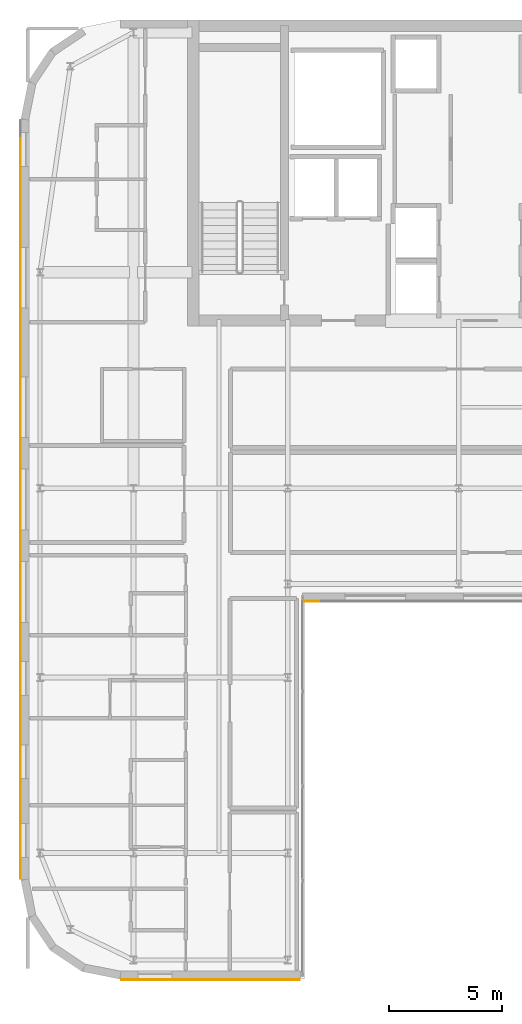
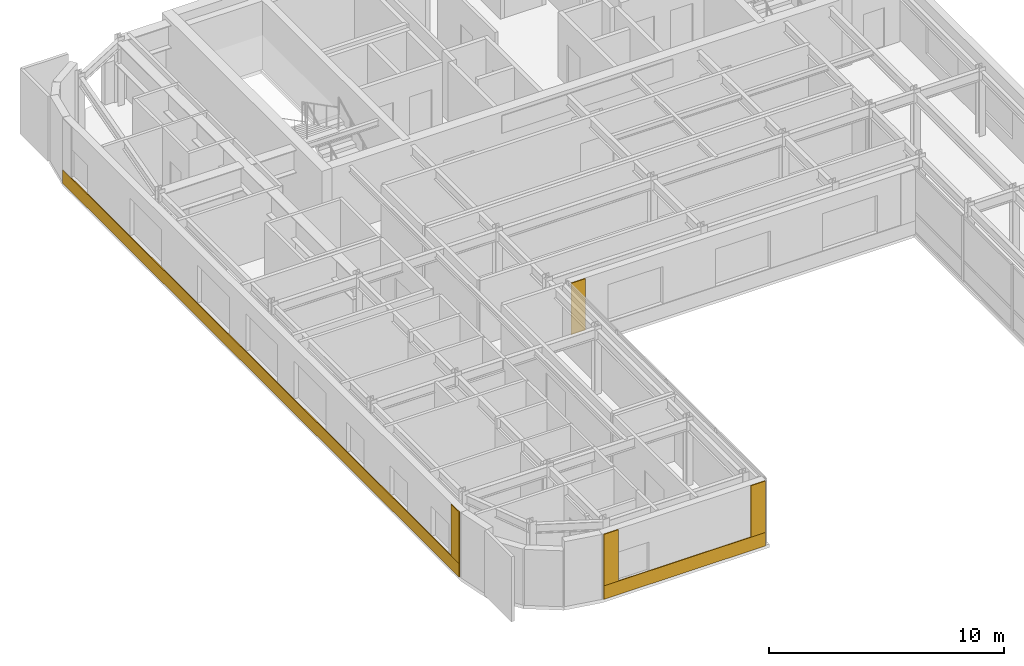
# One storey, part 18 of 21: 6 coverings.
"""IFC4 building model written with IfcOpenShell, lengths in metres."""

import ifcopenshell
import ifcopenshell.guid

model = None  # the IFC model being written
_history = None  # IfcOwnerHistory: only IFC2X3 demands one
_inside = {}  # id of a spatial element -> (the spatial element, [elements in it])
_under = {}  # id of a project, library or spatial element -> (it, [spatial elements below it])
_declared = {}  # id of a project -> (the project, [libraries it declares])
_typed = {}  # id of a type object -> (the type object, [elements of that type])
_made_of = {}  # id of a material, layer set ... -> (it, [elements and type objects made of it])


def new_model(schema):
    """Start an empty IFC model of exactly this schema.

    Asked for "IFC4X3", IfcOpenShell would pick the latest addendum, in which some entities
    have other attributes; the version numbers below select the first issue.
    IFC2X3 requires an IfcOwnerHistory on every rooted entity: one is made here for all.
    """
    global model, _history
    if schema == "IFC4X3":
        model = ifcopenshell.file(schema_version=(4, 3, 0, 0))
    else:
        model = ifcopenshell.file(schema=schema)
    _inside.clear()
    _under.clear()
    _declared.clear()
    _typed.clear()
    _made_of.clear()
    _history = None
    if model.schema == "IFC2X3":
        org = make("IfcOrganization", Name="unknown")
        user = make(
            "IfcPersonAndOrganization",
            ThePerson=make("IfcPerson", FamilyName="unknown"),
            TheOrganization=org,
        )
        app = make(
            "IfcApplication",
            ApplicationDeveloper=org,
            Version="unknown",
            ApplicationFullName="unknown",
            ApplicationIdentifier="unknown",
        )
        _history = make(
            "IfcOwnerHistory",
            OwningUser=user,
            OwningApplication=app,
            ChangeAction="ADDED",
            CreationDate=0,
        )
    return model


def make(cls, **values):
    """One entity of the class cls with the attributes given. An attribute that is None is left unset."""
    return model.create_entity(
        cls, **{name: value for name, value in values.items() if value is not None}
    )


def rooted(cls, **values):
    """An entity with a GlobalId (a new one), such as an element, a storey or a relation."""
    return make(cls, GlobalId=ifcopenshell.guid.new(), OwnerHistory=_history, **values)


def si_unit(unit_type, name, prefix=None):
    """IfcSIUnit, for example si_unit("LENGTHUNIT", "METRE", prefix="MILLI")."""
    return make("IfcSIUnit", UnitType=unit_type, Prefix=prefix, Name=name)


def assignment(units):
    """IfcUnitAssignment: the units of a project."""
    return None if units is None else make("IfcUnitAssignment", Units=units)


def point(xyz):
    """IfcCartesianPoint."""
    return None if xyz is None else make("IfcCartesianPoint", Coordinates=xyz)


def direction(xyz):
    """IfcDirection."""
    return None if xyz is None else make("IfcDirection", DirectionRatios=xyz)


def frame(location, z_axis=None, x_axis=None):
    """IfcAxis2Placement3D, a coordinate frame: its origin and axes. An axis left out is left unset."""
    return make(
        "IfcAxis2Placement3D",
        Location=point(location),
        Axis=direction(z_axis),
        RefDirection=direction(x_axis),
    )


def origin():
    """The frame at (0, 0, 0) with its axes left unset."""
    return frame((0.0, 0.0, 0.0))


def place(relative_to, where):
    """IfcLocalPlacement: puts the frame where relative to a parent placement (None: the world)."""
    return make(
        "IfcLocalPlacement", PlacementRelTo=relative_to, RelativePlacement=where
    )


def context(
    kind, dimensions, precision=None, world=None, true_north=None, identifier=None
):
    """IfcGeometricRepresentationContext, for example the 3D "Model" context."""
    return make(
        "IfcGeometricRepresentationContext",
        ContextIdentifier=identifier,
        ContextType=kind,
        CoordinateSpaceDimension=dimensions,
        Precision=precision,
        WorldCoordinateSystem=world,
        TrueNorth=true_north,
    )


def subcontext(parent, identifier, kind, view, scale=None):
    """IfcGeometricRepresentationSubContext, for example "Body" below "Model"."""
    return make(
        "IfcGeometricRepresentationSubContext",
        ContextIdentifier=identifier,
        ContextType=kind,
        ParentContext=parent,
        TargetScale=scale,
        TargetView=view,
    )


def project(units=None, contexts=None):
    """IfcProject with its units and contexts."""
    return rooted(
        "IfcProject",
        Name="project",
        RepresentationContexts=contexts,
        UnitsInContext=assignment(units),
    )


def spatial(cls, under=None, at=None, **own):
    """A site, building, storey or space (cls), placed at a placement, below another one or the project."""
    s = rooted(cls, ObjectPlacement=at, **own)
    if under is not None:
        _under.setdefault(under.id(), (under, []))[1].append(s)
    return s


def polyline(points):
    """IfcPolyline through the points."""
    return make("IfcPolyline", Points=[point(p) for p in points])


def outline(outer, holes=None, kind="AREA"):
    """IfcArbitraryClosedProfileDef: a profile drawn as a closed curve; with holes, ...WithVoids."""
    if holes is None:
        return make("IfcArbitraryClosedProfileDef", ProfileType=kind, OuterCurve=outer)
    return make(
        "IfcArbitraryProfileDefWithVoids",
        ProfileType=kind,
        OuterCurve=outer,
        InnerCurves=holes,
    )


def extrude(swept, where, along, depth):
    """IfcExtrudedAreaSolid: the profile swept, set in the frame where, extruded along a direction by depth."""
    return make(
        "IfcExtrudedAreaSolid",
        SweptArea=swept,
        Position=where,
        ExtrudedDirection=direction(along),
        Depth=depth,
    )


def shape(context_of_items, identifier, shape_type, items):
    """IfcShapeRepresentation: the items that make up one representation, for example the "Body"."""
    return make(
        "IfcShapeRepresentation",
        ContextOfItems=context_of_items,
        RepresentationIdentifier=identifier,
        RepresentationType=shape_type,
        Items=items,
    )


def material(Name=None, Category=None):
    """IfcMaterial."""
    return make("IfcMaterial", Name=Name, Category=Category)


def layer(
    of_material, thickness, ventilated=None, Name=None, Category=None, Priority=None
):
    """IfcMaterialLayer: one layer of a wall or slab, of a material (None: an air gap)."""
    return make(
        "IfcMaterialLayer",
        Material=of_material,
        LayerThickness=thickness,
        IsVentilated=ventilated,
        Name=Name,
        Category=Category,
        Priority=Priority,
    )


def layer_set(layers, Name=None):
    """IfcMaterialLayerSet."""
    return make("IfcMaterialLayerSet", MaterialLayers=layers, LayerSetName=Name)


def made_of(thing, what):
    """Note that an element or type object is made of a material, layer set ...; save() writes the relation."""
    if what is not None:
        _made_of.setdefault(what.id(), (what, []))[1].append(thing)
    return thing


def type_object(cls, material=None, **own):
    """A type object (cls), such as IfcWallType, which elements share."""
    return made_of(rooted(cls, **own), material)


def element(
    cls,
    number,
    at=None,
    inside=None,
    cuts=None,
    type_object=None,
    material=None,
    context=None,
    identifier="Body",
    shape_type=None,
    held_by="IfcProductDefinitionShape",
    body=None,
    shapes=None,
    **own,
):
    """One element of the class cls, such as IfcWall. Its Tag is "e" and its number.

    at: its placement. inside: the storey or other place that contains it. cuts: it is an
    opening in that element (IfcRelVoidsElement). A single representation is given by context,
    identifier, shape_type and body (its items); several are given by shapes. held_by: the class
    of the entity that holds the representations. save() writes the other relations.
    """
    e = rooted(cls, Tag="e%d" % number, ObjectPlacement=at, **own)
    if body is not None:
        shapes = [shape(context, identifier, shape_type, body)]
    if shapes is not None:
        e.Representation = make(held_by, Representations=shapes)
    if inside is not None:
        _inside.setdefault(inside.id(), (inside, []))[1].append(e)
    if cuts is not None:
        rooted(
            "IfcRelVoidsElement", RelatingBuildingElement=cuts, RelatedOpeningElement=e
        )
    if type_object is not None:
        _typed.setdefault(type_object.id(), (type_object, []))[1].append(e)
    return made_of(e, material)


def aggregate(whole, parts):
    """IfcRelAggregates: a whole, such as a stair, and the parts it consists of."""
    return rooted("IfcRelAggregates", RelatingObject=whole, RelatedObjects=parts)


def save(model, path):
    """Write the relations noted so far, then the file.

    IfcRelAggregates (storeys below a building ...), IfcRelContainedInSpatialStructure (elements
    in a storey), IfcRelDefinesByType, IfcRelAssociatesMaterial and IfcRelDeclares: one each for
    every whole, place, type object, material and project.
    """
    for whole, parts in _under.values():
        aggregate(whole, parts)
    for where, things in _inside.values():
        rooted(
            "IfcRelContainedInSpatialStructure",
            RelatedElements=things,
            RelatingStructure=where,
        )
    for kind, things in _typed.values():
        rooted("IfcRelDefinesByType", RelatedObjects=things, RelatingType=kind)
    for what, things in _made_of.values():
        rooted("IfcRelAssociatesMaterial", RelatedObjects=things, RelatingMaterial=what)
    for by, libraries in _declared.values():
        rooted("IfcRelDeclares", RelatingContext=by, RelatedDefinitions=libraries)
    model.write(path)


model = new_model("IFC4")

# Units and contexts
model_context = context("Model", 3, precision=1e-05, world=origin(), true_north=direction((0.0, 1.0)))
body_context = subcontext(model_context, "Body", "Model", "MODEL_VIEW")
ifc_project = project(units=[si_unit("LENGTHUNIT", "METRE"), si_unit("AREAUNIT", "SQUARE_METRE"), si_unit("VOLUMEUNIT", "CUBIC_METRE"), si_unit("PLANEANGLEUNIT", "RADIAN"), si_unit("MASSUNIT", "GRAM", prefix="KILO")], contexts=[model_context])

# Site, building, storey
site_placement = place(None, origin())
site = spatial("IfcSite", under=ifc_project, at=site_placement, CompositionType="ELEMENT")
building_placement = place(site_placement, origin())
building = spatial("IfcBuilding", under=site, at=building_placement, Name="Tolvann Quenvar Hotel", CompositionType="ELEMENT")
storey_placement = place(building_placement, frame((0.0, 0.0, 262.949951171875)))
storey = spatial("IfcBuildingStorey", under=building, at=storey_placement, Name="L70", CompositionType="ELEMENT", Elevation=262.949951171875)

# Coverings
ifc_material_1 = material(Name="Kiln-fired red architectural face brick cladding", Category="masonry")
ifc_layer_1 = layer(ifc_material_1, 0.0400390625)
ifc_layer_set_1 = layer_set([ifc_layer_1], Name="Kiln-fired red architectural face brick cladding")
covering_type_1 = type_object("IfcCoveringType", Name="COV_CLAD_BRICK_40", PredefinedType="CLADDING", material=ifc_layer_set_1)
covering_1_placement = place(storey_placement, frame((0.0, 0.0, 0.699951171875)))
element("IfcCovering", 1, at=covering_1_placement, inside=storey, type_object=covering_type_1, Name="Brick Pier Cladding (L70-E04-P1)", PredefinedType="CLADDING", context=body_context, shape_type="SweptSolid", body=[
    extrude(outline(polyline([(7.067138671875, 2.60009765625), (7.76708984375, 2.60009765625), (7.76708984375, 2.56005859375), (7.067138671875, 2.56005859375), (7.067138671875, 2.60009765625)])), origin(), (0.0, 0.0, 1.0), 2.670166015625),
])
covering_2_placement = place(storey_placement, frame((0.0, 0.0, 0.699951171875)))
element("IfcCovering", 2, at=covering_2_placement, inside=storey, type_object=covering_type_1, Name="Brick Pier Cladding (L70-E04-P2)", PredefinedType="CLADDING", context=body_context, shape_type="SweptSolid", body=[
    extrude(outline(polyline([(14.27490234375, 2.60009765625), (14.97509765625, 2.60009765625), (14.97509765625, 2.56005859375), (14.27490234375, 2.56005859375), (14.27490234375, 2.60009765625)])), origin(), (0.0, 0.0, 1.0), 2.670166015625),
])
covering_3_placement = place(storey_placement, frame((0.0, 0.0, 0.699951171875)))
element("IfcCovering", 3, at=covering_3_placement, inside=storey, type_object=covering_type_1, Name="Brick Pier Cladding (L70-E06-P1)", PredefinedType="CLADDING", context=body_context, shape_type="SweptSolid", body=[
    extrude(outline(polyline([(15.159912109375, 19.39990234375), (15.860107421875, 19.39990234375), (15.860107421875, 19.360107421875), (15.159912109375, 19.360107421875), (15.159912109375, 19.39990234375)])), origin(), (0.0, 0.0, 1.0), 2.670166015625),
])
covering_4_placement = place(storey_placement, frame((0.0, 0.0, 0.699951171875)))
element("IfcCovering", 4, at=covering_4_placement, inside=storey, type_object=covering_type_1, Name="Brick Pier Cladding (L70-E23-P2)", PredefinedType="CLADDING", context=body_context, shape_type="SweptSolid", body=[
    extrude(outline(polyline([(2.60009765625, 7.76708984375), (2.60009765625, 7.067138671875), (2.56005859375, 7.067138671875), (2.56005859375, 7.76708984375), (2.60009765625, 7.76708984375)])), origin(), (0.0, 0.0, 1.0), 2.670166015625),
])
ifc_material_2 = material(Name="Moulded buff architectural terracotta spandrel cladding", Category="masonry")
ifc_layer_2 = layer(ifc_material_2, 0.0400390625)
ifc_layer_set_2 = layer_set([ifc_layer_2], Name="Moulded buff architectural terracotta spandrel cladding")
covering_type_2 = type_object("IfcCoveringType", Name="COV_CLAD_TERRA_40", PredefinedType="CLADDING", material=ifc_layer_set_2)
covering_5_placement = place(storey_placement, origin())
element("IfcCovering", 5, at=covering_5_placement, inside=storey, type_object=covering_type_2, Name="Terracotta Spandrel Cladding (L70-E04)", PredefinedType="CLADDING", context=body_context, shape_type="SweptSolid", body=[
    extrude(outline(polyline([(7.05712890625, 2.60009765625), (14.985107421875, 2.60009765625), (14.985107421875, 2.56005859375), (7.05712890625, 2.56005859375), (7.05712890625, 2.60009765625)])), origin(), (0.0, 0.0, 1.0), 0.699951171875),
])
covering_6_placement = place(storey_placement, origin())
element("IfcCovering", 6, at=covering_6_placement, inside=storey, type_object=covering_type_2, Name="Terracotta Spandrel Cladding (L70-E23)", PredefinedType="CLADDING", context=body_context, shape_type="SweptSolid", body=[
    extrude(outline(polyline([(2.60009765625, 40.742919921875), (2.60009765625, 7.05712890625), (2.56005859375, 7.05712890625), (2.56005859375, 40.742919921875), (2.60009765625, 40.742919921875)])), origin(), (0.0, 0.0, 1.0), 0.699951171875),
])

save(model, "model.ifc")
